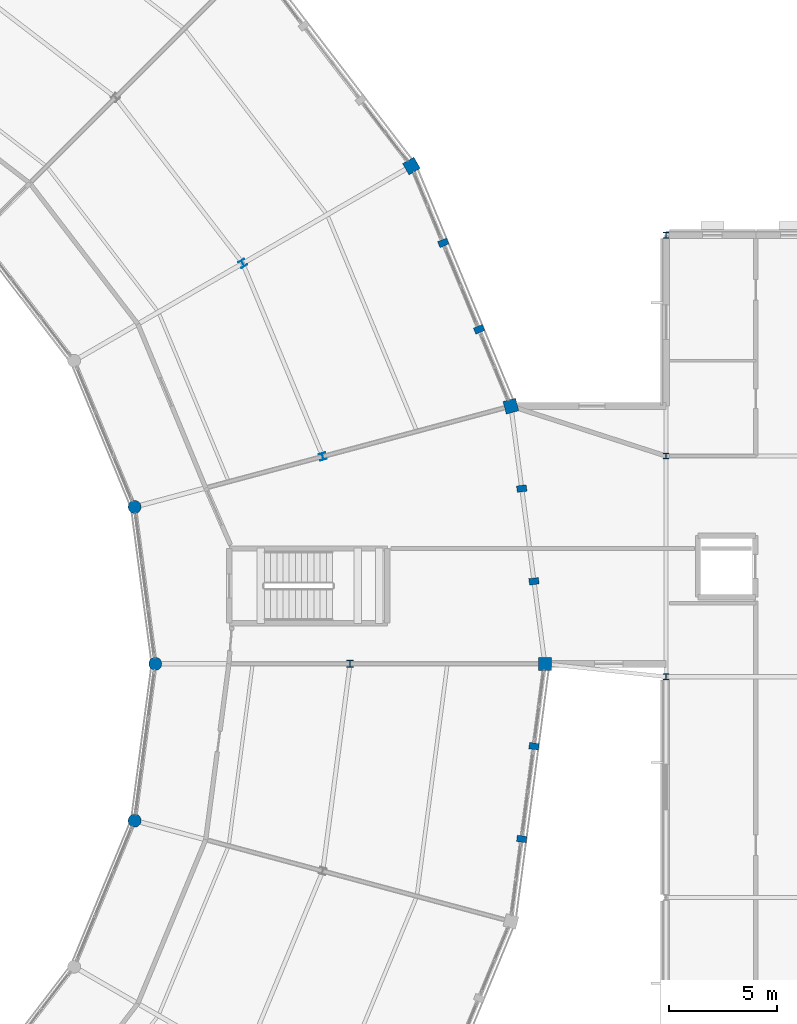
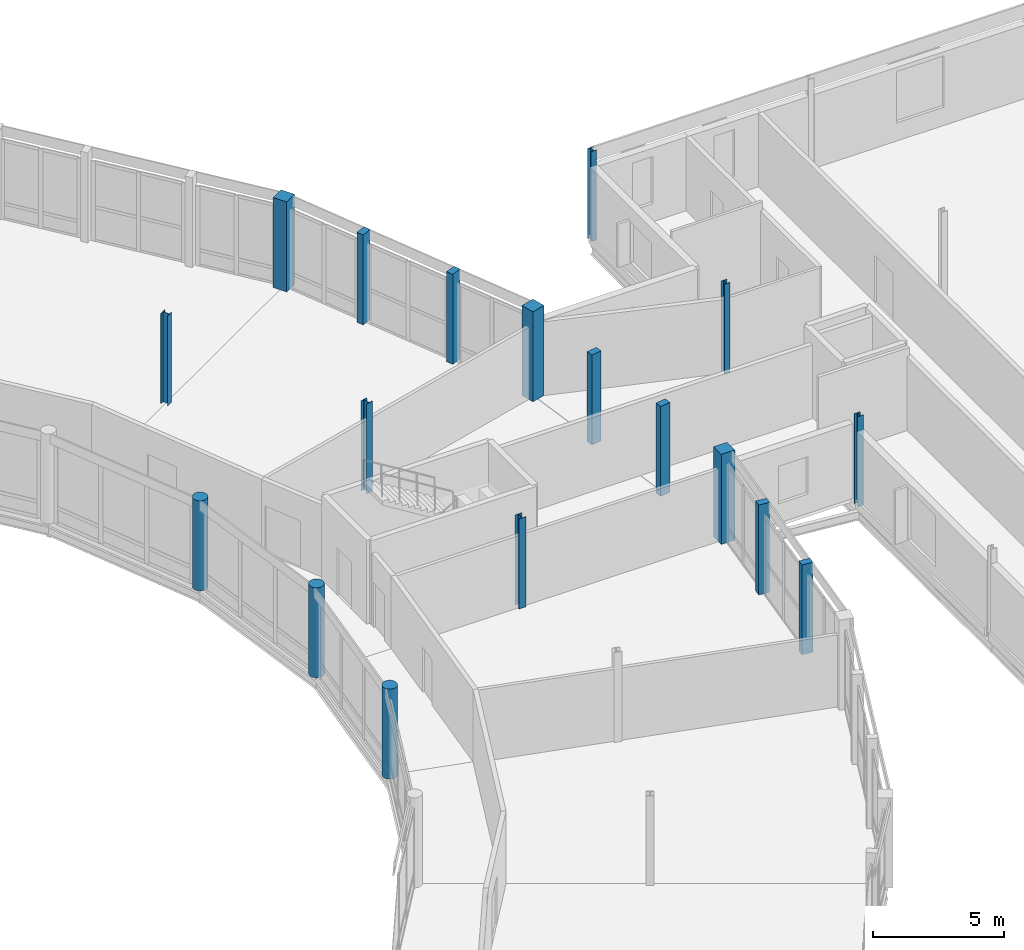
# One storey, part 17 of 170: 18 columns.
"""IFC4 building model written with IfcOpenShell, lengths in metres."""

from ifc_helpers import new_model, si_unit, direction, frame, origin, origin_2d, place, context, subcontext, project, spatial, rectangle, circle, i_section, extrude, material, material_profile, profile_set, type_object, element, save


model = new_model("IFC4")

# Units and contexts
model_context = context("Model", 3, precision=1e-05, world=origin(), true_north=direction((0.0, 1.0)))
body_context = subcontext(model_context, "Body", "Model", "MODEL_VIEW")
ifc_project = project(units=[si_unit("LENGTHUNIT", "METRE"), si_unit("AREAUNIT", "SQUARE_METRE"), si_unit("VOLUMEUNIT", "CUBIC_METRE"), si_unit("PLANEANGLEUNIT", "RADIAN"), si_unit("MASSUNIT", "GRAM", prefix="KILO")], contexts=[model_context])

# Site, building, storey
site_placement = place(None, origin())
site = spatial("IfcSite", under=ifc_project, at=site_placement, CompositionType="ELEMENT")
building_placement = place(site_placement, origin())
building = spatial("IfcBuilding", under=site, at=building_placement, Name="Vondelvale Polytechnic", CompositionType="ELEMENT")
storey_placement = place(building_placement, frame((0.0, 0.0, 5.39990234375)))
storey = spatial("IfcBuildingStorey", under=building, at=storey_placement, Name="L01", CompositionType="ELEMENT", Elevation=5.39990234375)

# Columns
ifc_material_1 = material(Name="Glulam GL18 structural Tasmanian oak (fb = 42 MPa)", Category="wood")
ifc_material_profile_1 = material_profile(ifc_material_1, rectangle(XDim=0.300048828125, YDim=0.449951171875, at=origin_2d()), Name="GL-POST-300x450")
ifc_profile_set_1 = profile_set([ifc_material_profile_1], Name="Glulam GL18 structural Tasmanian oak (fb = 42 MPa)")
column_type_1 = type_object("IfcColumnType", Name="COL-GLULAM-300x450", PredefinedType="PILASTER", material=ifc_profile_set_1)
for number, where, z_axis, x_axis, name in (
    (1, (147.498291015625, 75.809814453125, 0.0), (0.0, 0.0, 1.0), (-0.13052619222, 0.991444861374, 0.0), "L01 ring outer glulam timber post C00-P1"),
    (2, (146.93408203125, 80.095947265625, 0.0), (0.0, 0.0, 1.0), (-0.13052619222, 0.991444861374, 0.0), "L01 ring outer glulam timber post C00-P2"),
    (3, (144.962158203125, 87.455810546875, 0.0), (0.0, 0.0, 1.0), (-0.382683432365, 0.923879532511, 0.0), "L01 ring outer glulam timber post C01-P1"),
    (4, (143.3076171875, 91.44970703125, 0.0), (0.0, 0.0, 1.0), (-0.382683432365, 0.923879532511, 0.0), "L01 ring outer glulam timber post C01-P2"),
    (5, (146.93408203125, 63.904052734375, 0.0), (0.0, 0.0, 1.0), (0.13052619222, 0.991444861374, 0.0), "L01 ring outer glulam timber post C23-P1"),
    (6, (147.498291015625, 68.190185546875, 0.0), (0.0, 0.0, 1.0), (0.13052619222, 0.991444861374, 0.0), "L01 ring outer glulam timber post C23-P2"),
):
    element("IfcColumn", number, at=place(storey_placement, frame(where, z_axis=z_axis, x_axis=x_axis)), inside=storey, type_object=column_type_1, Name=name, PredefinedType="PILASTER", context=body_context, shape_type="SweptSolid", body=[
        extrude(rectangle(XDim=0.300048828125, YDim=0.449951171875, at=origin_2d()), origin(), (0.0, 0.0, 1.0), 4.2001953125),
    ])
ifc_material_2 = material(Name="Concrete N50 (f'c = 50 MPa)", Category="concrete")
ifc_material_profile_2 = material_profile(ifc_material_2, rectangle(XDim=0.60009765625, YDim=0.60009765625, at=origin_2d()), Name="RC-COL-600x600")
ifc_profile_set_2 = profile_set([ifc_material_profile_2], Name="Concrete N50 (f'c = 50 MPa)")
column_type_2 = type_object("IfcColumnType", Name="COL-RC600", PredefinedType="COLUMN", material=ifc_profile_set_2)
for number, where, z_axis, x_axis, name in (
    (7, (148.0, 72.0, 0.0), (0.0, 0.0, 1.0), (1.0, 0.0, 0.0), "L01 courtyard ring column S00-RO"),
    (8, (146.4326171875, 83.90576171875, 0.0), (0.0, 0.0, 1.0), (0.965925826289, 0.258819045103, 0.0), "L01 courtyard ring column S01-RO"),
    (9, (141.837158203125, 95.0, 0.0), (0.0, 0.0, 1.0), (0.866025403784, 0.5, 0.0), "L01 courtyard ring column S02-RO"),
):
    element("IfcColumn", number, at=place(storey_placement, frame(where, z_axis=z_axis, x_axis=x_axis)), inside=storey, type_object=column_type_2, Name=name, PredefinedType="COLUMN", context=body_context, shape_type="SweptSolid", body=[
        extrude(rectangle(XDim=0.60009765625, YDim=0.60009765625, at=origin_2d()), origin(), (0.0, 0.0, 1.0), 4.2001953125),
    ])
ifc_material_profile_3 = material_profile(ifc_material_2, circle(Radius=0.300048828125, at=origin_2d()), Name="RC-COL-D600")
ifc_profile_set_3 = profile_set([ifc_material_profile_3], Name="Concrete N50 (f'c = 50 MPa)")
column_type_3 = type_object("IfcColumnType", Name="COL-RCD600", PredefinedType="COLUMN", material=ifc_profile_set_3)
for number, where, z_axis, x_axis, name in (
    (10, (130.0, 72.0, 0.0), (0.0, 0.0, 1.0), (1.0, 0.0, 0.0), "L01 courtyard ring column S00-RI"),
    (11, (129.0458984375, 79.246826171875, 0.0), (0.0, 0.0, 1.0), (0.965925826289, 0.258819045103, 0.0), "L01 courtyard ring column S01-RI"),
    (12, (129.0458984375, 64.753173828125, 0.0), (0.0, 0.0, 1.0), (-0.965925826289, 0.258819045103, 0.0), "L01 courtyard ring column S23-RI"),
):
    element("IfcColumn", number, at=place(storey_placement, frame(where, z_axis=z_axis, x_axis=x_axis)), inside=storey, type_object=column_type_3, Name=name, PredefinedType="COLUMN", context=body_context, shape_type="SweptSolid", body=[
        extrude(circle(Radius=0.300048828125, at=origin_2d()), origin(), (0.0, 0.0, 1.0), 4.2001953125),
    ])
ifc_material_3 = material(Name="Steel 300PLUS (fy = 300 MPa)", Category="steel")
ifc_material_profile_4 = material_profile(ifc_material_3, i_section(OverallWidth=0.256103515625, OverallDepth=0.260009765625, WebThickness=0.010498046875, FlangeThickness=0.017333984375, FilletRadius=0.013916015625, at=origin_2d()), Name="250UC89.5")
ifc_profile_set_4 = profile_set([ifc_material_profile_4], Name="Steel 300PLUS (fy = 300 MPa)")
column_type_4 = type_object("IfcColumnType", Name="COL-UC250", PredefinedType="COLUMN", material=ifc_profile_set_4)
for number, where, z_axis, x_axis, name in (
    (13, (153.60009765625, 71.39990234375, 0.0), (0.0, 0.0, 1.0), (1.0, 0.0, 0.0), "L01 East pavilion column (153.6,71.4)"),
    (14, (153.60009765625, 81.60009765625, 0.0), (0.0, 0.0, 1.0), (1.0, 0.0, 0.0), "L01 East pavilion column (153.6,81.6)"),
    (15, (153.60009765625, 91.800048828125, 0.0), (0.0, 0.0, 1.0), (1.0, 0.0, 0.0), "L01 East pavilion column (153.6,91.8)"),
):
    element("IfcColumn", number, at=place(storey_placement, frame(where, z_axis=z_axis, x_axis=x_axis)), inside=storey, type_object=column_type_4, Name=name, PredefinedType="COLUMN", context=body_context, shape_type="SweptSolid", body=[
        extrude(i_section(OverallWidth=0.256103515625, OverallDepth=0.260009765625, WebThickness=0.010498046875, FlangeThickness=0.017333984375, FilletRadius=0.013916015625, at=origin_2d()), origin(), (0.0, 0.0, 1.0), 4.2001953125),
    ])
ifc_material_profile_5 = material_profile(ifc_material_3, i_section(OverallWidth=0.306884765625, OverallDepth=0.31494140625, WebThickness=0.011962890625, FlangeThickness=0.018798828125, FilletRadius=0.0166015625, at=origin_2d()), Name="310UC118")
ifc_profile_set_5 = profile_set([ifc_material_profile_5], Name="Steel 300PLUS (fy = 300 MPa)")
column_type_5 = type_object("IfcColumnType", Name="COL-UC310", PredefinedType="COLUMN", material=ifc_profile_set_5)
for number, where, z_axis, x_axis, name in (
    (16, (139.0, 72.0, 0.0), (0.0, 0.0, 1.0), (1.0, 0.0, 0.0), "L01 courtyard ring column S00-RM"),
    (17, (137.7392578125, 81.576416015625, 0.0), (0.0, 0.0, 1.0), (0.965925826289, 0.258819045103, 0.0), "L01 courtyard ring column S01-RM"),
    (18, (134.04296875, 90.5, 0.0), (0.0, 0.0, 1.0), (0.866025403784, 0.5, 0.0), "L01 courtyard ring column S02-RM"),
):
    element("IfcColumn", number, at=place(storey_placement, frame(where, z_axis=z_axis, x_axis=x_axis)), inside=storey, type_object=column_type_5, Name=name, PredefinedType="COLUMN", context=body_context, shape_type="SweptSolid", body=[
        extrude(i_section(OverallWidth=0.306884765625, OverallDepth=0.31494140625, WebThickness=0.011962890625, FlangeThickness=0.018798828125, FilletRadius=0.0166015625, at=origin_2d()), origin(), (0.0, 0.0, 1.0), 4.2001953125),
    ])

save(model, "model.ifc")
